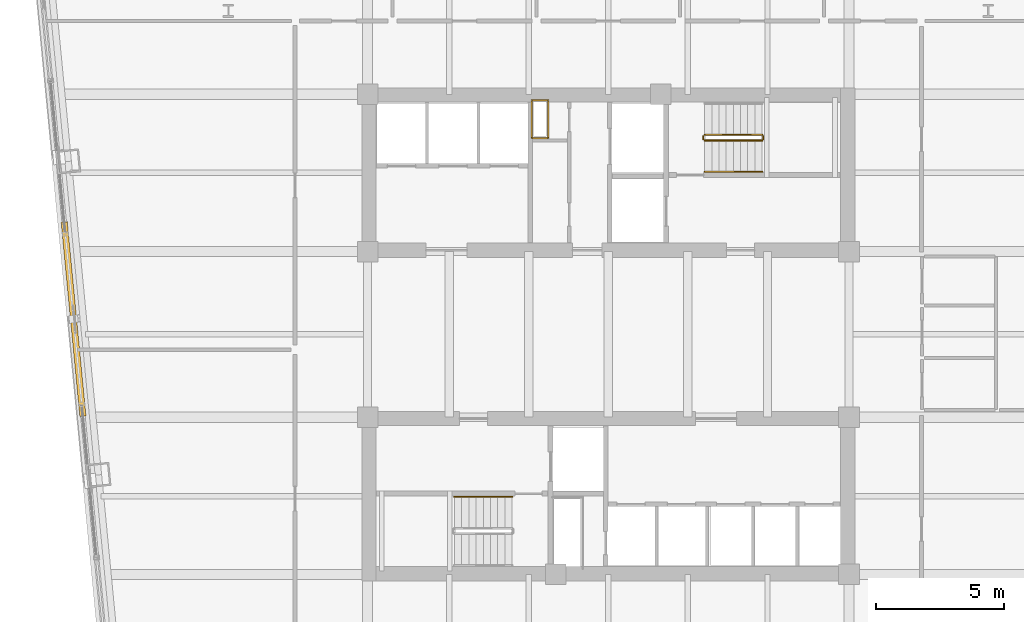
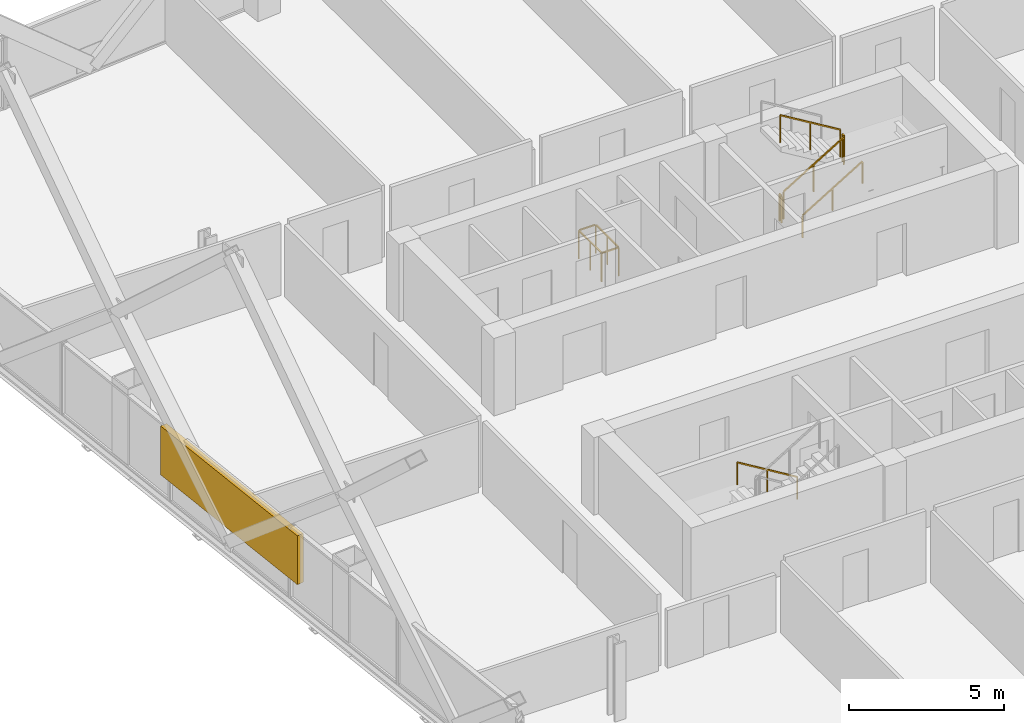
# One storey, part 31 of 32: 7 railings, 1 shading device.
"""IFC4 building model written with IfcOpenShell, lengths in metres."""

from ifc_helpers import new_model, si_unit, direction, frame, origin, origin_2d, place, context, subcontext, project, spatial, rectangle, extrude, material, type_object, element, save


model = new_model("IFC4")

# Units and contexts
model_context = context("Model", 3, precision=1e-05, world=origin(), true_north=direction((0.0, 1.0)))
body_context = subcontext(model_context, "Body", "Model", "MODEL_VIEW")
ifc_project = project(units=[si_unit("LENGTHUNIT", "METRE"), si_unit("AREAUNIT", "SQUARE_METRE"), si_unit("VOLUMEUNIT", "CUBIC_METRE"), si_unit("PLANEANGLEUNIT", "RADIAN"), si_unit("MASSUNIT", "GRAM", prefix="KILO")], contexts=[model_context])

# Site, building, storey
site_placement = place(None, origin())
site = spatial("IfcSite", under=ifc_project, at=site_placement, CompositionType="ELEMENT")
building_placement = place(site_placement, origin())
building = spatial("IfcBuilding", under=site, at=building_placement, Name="Qhalaya Broadcast Tower", CompositionType="ELEMENT")
storey_placement = place(building_placement, frame((0.0, 0.0, 81.64990234375)))
storey = spatial("IfcBuildingStorey", under=building, at=storey_placement, Name="L23", CompositionType="ELEMENT", Elevation=81.64990234375)

# Railings
ifc_material_1 = material(Name="Powder-Coated Galvanised Steel", Category="steel")
railing_type_1 = type_object("IfcRailingType", Name="Stair Wall Handrail 900", PredefinedType="HANDRAIL", material=ifc_material_1)
railing_1_placement = place(storey_placement, frame((3.75, 6.929931640625, 0.16943359375)))
element("IfcRailing", 1, at=railing_1_placement, inside=storey, type_object=railing_type_1, Name="L23 ST-1 Stair Handrail 1", PredefinedType="HANDRAIL", context=body_context, shape_type="SweptSolid", body=[
    extrude(rectangle(XDim=0.048095703125, YDim=0.048095703125, at=origin_2d()), frame((0.0, 0.0, 0.8759765625), z_axis=(0.855512035549, 0.0, 0.517782924622), x_axis=(0.0, 1.0, 0.0)), (0.0, 0.0, 1.0), 2.618408203125),
    extrude(rectangle(XDim=0.0419921875, YDim=0.0419921875, at=origin_2d()), origin(), (0.0, 0.0, 1.0), 0.849853515625),
    extrude(rectangle(XDim=0.0419921875, YDim=0.0419921875, at=origin_2d()), frame((1.1201171875, 0.0, 0.677734375)), (0.0, 0.0, 1.0), 0.849853515625),
    extrude(rectangle(XDim=0.0419921875, YDim=0.0419921875, at=origin_2d()), frame((2.239990234375, 0.0, 1.355712890625)), (0.0, 0.0, 1.0), 0.849853515625),
])
railing_2_placement = place(storey_placement, frame((-3.75, -5.72998046875, 0.16943359375)))
element("IfcRailing", 2, at=railing_2_placement, inside=storey, type_object=railing_type_1, Name="L23 ST-2 Stair Handrail 1", PredefinedType="HANDRAIL", context=body_context, shape_type="SweptSolid", body=[
    extrude(rectangle(XDim=0.048095703125, YDim=0.048095703125, at=origin_2d()), frame((0.0, 0.0, 0.8759765625), z_axis=(-0.855512035549, 0.0, 0.517782924622), x_axis=(0.0, -1.0, 0.0)), (0.0, 0.0, 1.0), 2.618408203125),
    extrude(rectangle(XDim=0.0419921875, YDim=0.0419921875, at=origin_2d()), origin(), (0.0, 0.0, 1.0), 0.849853515625),
    extrude(rectangle(XDim=0.0419921875, YDim=0.0419921875, at=origin_2d()), frame((-1.1201171875, 0.0, 0.677734375)), (0.0, 0.0, 1.0), 0.849853515625),
    extrude(rectangle(XDim=0.0419921875, YDim=0.0419921875, at=origin_2d()), frame((-2.239990234375, 0.0, 1.355712890625)), (0.0, 0.0, 1.0), 0.849853515625),
])
railing_type_2 = type_object("IfcRailingType", Name="Stair Well & Landing Guardrail 1100", PredefinedType="GUARDRAIL", material=ifc_material_1)
railing_3_placement = place(storey_placement, frame((-2.340087890625, 8.239990234375, 0.0)))
element("IfcRailing", 3, at=railing_3_placement, inside=storey, type_object=railing_type_2, Name="L23 Service Riser Opening Safety Guard NRSR", PredefinedType="GUARDRAIL", context=body_context, shape_type="SweptSolid", body=[
    extrude(rectangle(XDim=0.048095703125, YDim=0.048095703125, at=origin_2d()), frame((0.0, 0.02880859375, 1.1259765625), z_axis=(0.0, 1.0, 0.0), x_axis=(-1.0, 0.0, 0.0)), (0.0, 0.0, 1.0), 1.42236328125),
    extrude(rectangle(XDim=0.048095703125, YDim=0.048095703125, at=origin_2d()), frame((-0.02880859375, 1.47998046875, 1.1259765625), z_axis=(-1.0, 0.0, 0.0), x_axis=(0.0, -1.0, 0.0)), (0.0, 0.0, 1.0), 0.582275390625),
    extrude(rectangle(XDim=0.048095703125, YDim=0.048095703125, at=origin_2d()), frame((-0.639892578125, 1.451171875, 1.1259765625), z_axis=(0.0, -1.0, 0.0), x_axis=(1.0, 0.0, 0.0)), (0.0, 0.0, 1.0), 1.42236328125),
    extrude(rectangle(XDim=0.048095703125, YDim=0.048095703125, at=origin_2d()), frame((-0.611083984375, 0.0, 1.1259765625), z_axis=(1.0, 0.0, 0.0), x_axis=(0.0, 1.0, 0.0)), (0.0, 0.0, 1.0), 0.582275390625),
    extrude(rectangle(XDim=0.0419921875, YDim=0.0419921875, at=origin_2d()), origin(), (0.0, 0.0, 1.0), 1.099853515625),
    extrude(rectangle(XDim=0.0419921875, YDim=0.0419921875, at=origin_2d()), frame((0.0, 0.739990234375, 0.0)), (0.0, 0.0, 1.0), 1.099853515625),
    extrude(rectangle(XDim=0.0419921875, YDim=0.0419921875, at=origin_2d()), frame((0.0, 1.47998046875, 0.0)), (0.0, 0.0, 1.0), 1.099853515625),
    extrude(rectangle(XDim=0.0419921875, YDim=0.0419921875, at=origin_2d()), frame((-0.639892578125, 1.47998046875, 0.0)), (0.0, 0.0, 1.0), 1.099853515625),
    extrude(rectangle(XDim=0.0419921875, YDim=0.0419921875, at=origin_2d()), frame((-0.639892578125, 0.739990234375, 0.0)), (0.0, 0.0, 1.0), 1.099853515625),
    extrude(rectangle(XDim=0.0419921875, YDim=0.0419921875, at=origin_2d()), frame((-0.639892578125, 0.0, 0.0)), (0.0, 0.0, 1.0), 1.099853515625),
])
railing_4_placement = place(storey_placement, frame((3.75, 8.14990234375, 0.16943359375)))
element("IfcRailing", 4, at=railing_4_placement, inside=storey, type_object=railing_type_2, Name="L23 ST-1 Stair Guard 1", PredefinedType="GUARDRAIL", context=body_context, shape_type="SweptSolid", body=[
    extrude(rectangle(XDim=0.048095703125, YDim=0.048095703125, at=origin_2d()), frame((0.0, 0.0, 1.076171875), z_axis=(0.855512035549, 0.0, 0.517782924622), x_axis=(0.0, 1.0, 0.0)), (0.0, 0.0, 1.0), 2.618408203125),
    extrude(rectangle(XDim=0.0419921875, YDim=0.0419921875, at=origin_2d()), origin(), (0.0, 0.0, 1.0), 1.050048828125),
    extrude(rectangle(XDim=0.0419921875, YDim=0.0419921875, at=origin_2d()), frame((1.1201171875, 0.0, 0.677734375)), (0.0, 0.0, 1.0), 1.050048828125),
    extrude(rectangle(XDim=0.0419921875, YDim=0.0419921875, at=origin_2d()), frame((2.239990234375, 0.0, 1.355712890625)), (0.0, 0.0, 1.0), 1.050048828125),
])
railing_5_placement = place(storey_placement, frame((6.0400390625, 8.199951171875, 1.525146484375)))
element("IfcRailing", 5, at=railing_5_placement, inside=storey, type_object=railing_type_2, Name="L23 ST-1 Stair Guard 2", PredefinedType="GUARDRAIL", context=body_context, shape_type="SweptSolid", body=[
    extrude(rectangle(XDim=0.048095703125, YDim=0.048095703125, at=origin_2d()), frame((0.0, 0.0, 1.076171875), z_axis=(0.0, 1.0, 0.0), x_axis=(-1.0, 0.0, 0.0)), (0.0, 0.0, 1.0), 0.1201171875),
    extrude(rectangle(XDim=0.0419921875, YDim=0.0419921875, at=origin_2d()), origin(), (0.0, 0.0, 1.0), 1.050048828125),
    extrude(rectangle(XDim=0.0419921875, YDim=0.0419921875, at=origin_2d()), frame((0.0, 0.1201171875, 0.0)), (0.0, 0.0, 1.0), 1.050048828125),
])
railing_6_placement = place(storey_placement, frame((5.989990234375, 8.3701171875, 1.694580078125)))
element("IfcRailing", 6, at=railing_6_placement, inside=storey, type_object=railing_type_2, Name="L23 ST-1 Stair Guard 3", PredefinedType="GUARDRAIL", context=body_context, shape_type="SweptSolid", body=[
    extrude(rectangle(XDim=0.048095703125, YDim=0.048095703125, at=origin_2d()), frame((0.0, 0.0, 1.076171875), z_axis=(-0.855553338991, 0.0, 0.51771467445), x_axis=(0.0, -1.0, 0.0)), (0.0, 0.0, 1.0), 2.6181640625),
    extrude(rectangle(XDim=0.0419921875, YDim=0.0419921875, at=origin_2d()), origin(), (0.0, 0.0, 1.0), 1.050048828125),
    extrude(rectangle(XDim=0.0419921875, YDim=0.0419921875, at=origin_2d()), frame((-1.1201171875, 0.0, 0.677734375)), (0.0, 0.0, 1.0), 1.050048828125),
    extrude(rectangle(XDim=0.0419921875, YDim=0.0419921875, at=origin_2d()), frame((-2.239990234375, 0.0, 1.35546875)), (0.0, 0.0, 1.0), 1.050048828125),
])
railing_7_placement = place(storey_placement, frame((3.699951171875, 8.199951171875, 0.0)))
element("IfcRailing", 7, at=railing_7_placement, inside=storey, type_object=railing_type_2, Name="L23 ST-1 Stair Guard 4", PredefinedType="GUARDRAIL", context=body_context, shape_type="SweptSolid", body=[
    extrude(rectangle(XDim=0.048095703125, YDim=0.048095703125, at=origin_2d()), frame((0.0, 0.0, 1.076171875), z_axis=(0.0, 1.0, 0.0), x_axis=(-1.0, 0.0, 0.0)), (0.0, 0.0, 1.0), 0.1201171875),
    extrude(rectangle(XDim=0.0419921875, YDim=0.0419921875, at=origin_2d()), origin(), (0.0, 0.0, 1.0), 1.050048828125),
    extrude(rectangle(XDim=0.0419921875, YDim=0.0419921875, at=origin_2d()), frame((0.0, 0.1201171875, 0.0)), (0.0, 0.0, 1.0), 1.050048828125),
])

# Shading device
ifc_material_2 = material(Name="Fired Architectural Terracotta", Category="masonry")
shading_device_type = type_object("IfcShadingDeviceType", Name="Terracotta Baguette Solar Screen Assembly TBS-01", PredefinedType="USERDEFINED", material=ifc_material_2)
shading_device_placement = place(storey_placement, frame((-20.827392578125, 1.193603515625, 0.79248046875), z_axis=(0.0, 0.0, 1.0), x_axis=(0.09584575252, -0.995396198367, 0.0)))
element("IfcShadingDevice", 8, at=shading_device_placement, inside=storey, type_object=shading_device_type, Name="L23 Fired Terracotta Baguette Screen W", ObjectType="BAGUETTE", PredefinedType="USERDEFINED", context=body_context, shape_type="SweptSolid", body=[
    extrude(rectangle(XDim=7.60009765625, YDim=0.239990234375, at=origin_2d()), origin(), (0.0, 0.0, 1.0), 1.924072265625),
])

save(model, "model.ifc")
